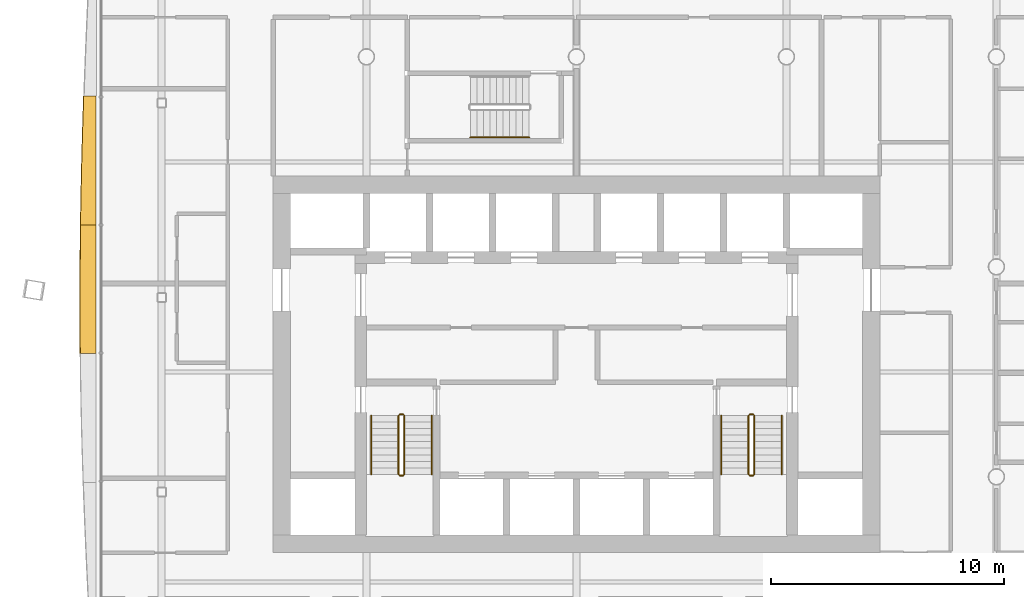
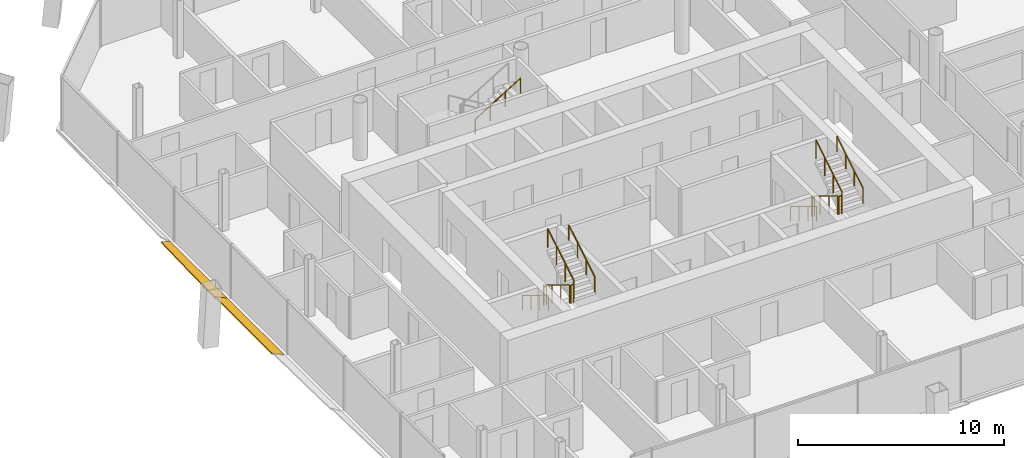
# One storey, part 19 of 22: 13 railings, 2 shading devices.
"""IFC4 building model written with IfcOpenShell, lengths in metres."""

from ifc_helpers import new_model, si_unit, direction, frame, origin, origin_2d, place, context, subcontext, project, spatial, polyline, circle, outline, extrude, material, layer, layer_set, type_object, element, save


model = new_model("IFC4")

# Units and contexts
model_context = context("Model", 3, precision=1e-05, world=origin(), true_north=direction((0.0, 1.0)))
body_context = subcontext(model_context, "Body", "Model", "MODEL_VIEW")
ifc_project = project(units=[si_unit("LENGTHUNIT", "METRE"), si_unit("AREAUNIT", "SQUARE_METRE"), si_unit("VOLUMEUNIT", "CUBIC_METRE"), si_unit("PLANEANGLEUNIT", "RADIAN"), si_unit("MASSUNIT", "GRAM", prefix="KILO")], contexts=[model_context])

# Site, building, storey
site_placement = place(None, origin())
site = spatial("IfcSite", under=ifc_project, at=site_placement, CompositionType="ELEMENT")
building_placement = place(site_placement, origin())
building = spatial("IfcBuilding", under=site, at=building_placement, Name="Tskaro Facet Tower", CompositionType="ELEMENT")
storey_placement = place(building_placement, frame((0.0, 0.0, 124.89990234375)))
storey = spatial("IfcBuildingStorey", under=building, at=storey_placement, Name="L29", CompositionType="ELEMENT", Elevation=124.89990234375)

# Shading devices
ifc_material_1 = material(Name="Bronze anodised aluminium 6063-T6", Category="aluminium")
ifc_layer = layer(ifc_material_1, 0.06005859375, Name="Bronze anodised aluminium 6063-T6")
ifc_layer_set = layer_set([ifc_layer], Name="Bronze anodised aluminium 6063-T6")
shading_device_type = type_object("IfcShadingDeviceType", Name="Bronze sun blade (FN1)", PredefinedType="USERDEFINED", material=ifc_layer_set)
shading_device_1_placement = place(storey_placement, frame((-20.596435546875, 7.32080078125, 0.056396484375), z_axis=(0.342110619756, 1.925757e-06, 0.939659685123), x_axis=(6.58822e-07, -0.999999999998, 1.809557e-06)))
element("IfcShadingDevice", 1, at=shading_device_1_placement, inside=storey, type_object=shading_device_type, Name="Fin blade west 3", ObjectType="FIN", PredefinedType="USERDEFINED", context=body_context, shape_type="SweptSolid", body=[
    extrude(outline(polyline([(0.0, 0.0), (5.518310546864767, 5.842738557980026e-22), (5.518310546940058, -0.6999642845968628), (4.828369140860794, -0.6883045053618181), (4.138671875207084, -0.6747882931054972), (3.4489746095147793, -0.6591862387250864), (2.7592773436230313, -0.6417277513233994), (2.069335937348628, -0.6224963540009631), (1.3796386716606277, -0.6011791145544368), (0.6899414060541258, -0.5783183742899748), (6.496843340937903e-11, -0.5536847241047632), (0.0, 0.0)])), origin(), (0.0, 0.0, -1.0), 0.06005859375),
])
shading_device_2_placement = place(storey_placement, frame((-20.591552734375, 1.802490234375, 0.054443359375), z_axis=(0.422596529367, 3.90998e-07, 0.906317920692), x_axis=(1.65234e-07, -1.0, 3.54368e-07)))
element("IfcShadingDevice", 2, at=shading_device_2_placement, inside=storey, type_object=shading_device_type, Name="Fin blade west 4", ObjectType="FIN", PredefinedType="USERDEFINED", context=body_context, shape_type="SweptSolid", body=[
    extrude(outline(polyline([(0.0, 0.0), (5.518066406249578, 0.0), (5.518066406238254, -0.7418489983623608), (4.82836914059681, -0.7482943577177413), (4.138427734387707, -0.752114334913848), (3.454345703149429, -0.7532057569698786), (3.4487304687744293, -0.7532057569698786), (2.7590332031378115, -0.752114334913848), (2.069335937477855, -0.7488400687457566), (1.379394531296415, -0.7432648624228002), (0.6896972655897795, -0.7356249080305869), (-1.3339520628007318e-11, -0.7256840134835085), (0.0, 0.0)])), origin(), (0.0, 0.0, -1.0), 0.06005859375),
])

# Railings
ifc_material_2 = material(Name="Stainless steel", Category="steel")
railing_type_1 = type_object("IfcRailingType", Name="RL-GUARD-1100", PredefinedType="GUARDRAIL", material=ifc_material_2)
railing_1_placement = place(storey_placement, frame((-7.625, -6.375, 0.170166015625)))
element("IfcRailing", 3, at=railing_1_placement, inside=storey, type_object=railing_type_1, Name="L29 ST-1 stair guard 1", PredefinedType="GUARDRAIL", context=body_context, shape_type="SweptSolid", body=[
    extrude(circle(Radius=0.02392578125, at=origin_2d()), frame((0.0, 0.0, 1.076171875), z_axis=(0.0, -0.85478489116, 0.518982456201), x_axis=(1.0, 0.0, 0.0)), (0.0, 0.0, 1.0), 2.9482421875),
    extrude(circle(Radius=0.02099609375, at=origin_2d()), origin(), (0.0, 0.0, 1.0), 1.052001953125),
    extrude(circle(Radius=0.02099609375, at=origin_2d()), frame((0.0, -0.840087890625, 0.510009765625)), (0.0, 0.0, 1.0), 1.052001953125),
    extrude(circle(Radius=0.02099609375, at=origin_2d()), frame((0.0, -1.679931640625, 1.02001953125)), (0.0, 0.0, 1.0), 1.052001953125),
    extrude(circle(Radius=0.02099609375, at=origin_2d()), frame((0.0, -2.52001953125, 1.530029296875)), (0.0, 0.0, 1.0), 1.052001953125),
])
railing_2_placement = place(storey_placement, frame((-7.574951171875, -8.945068359375, 1.7001953125)))
element("IfcRailing", 4, at=railing_2_placement, inside=storey, type_object=railing_type_1, Name="L29 ST-1 stair guard 2", PredefinedType="GUARDRAIL", context=body_context, shape_type="SweptSolid", body=[
    extrude(circle(Radius=0.02392578125, at=origin_2d()), frame((0.0, 0.0, 1.076171875), z_axis=(1.0, 0.0, 0.0), x_axis=(0.0, 1.0, 0.0)), (0.0, 0.0, 1.0), 0.14990234375),
    extrude(circle(Radius=0.02099609375, at=origin_2d()), origin(), (0.0, 0.0, 1.0), 1.052001953125),
    extrude(circle(Radius=0.02099609375, at=origin_2d()), frame((0.14990234375, 0.0, 0.0)), (0.0, 0.0, 1.0), 1.052001953125),
])
railing_3_placement = place(storey_placement, frame((-7.375, -8.89501953125, 1.8701171875)))
element("IfcRailing", 5, at=railing_3_placement, inside=storey, type_object=railing_type_1, Name="L29 ST-1 stair guard 3", PredefinedType="GUARDRAIL", context=body_context, shape_type="SweptSolid", body=[
    extrude(circle(Radius=0.02392578125, at=origin_2d()), frame((0.0, 0.0, 1.076171875), z_axis=(0.0, 0.85478489116, 0.518982456201), x_axis=(-1.0, 0.0, 0.0)), (0.0, 0.0, 1.0), 2.9482421875),
    extrude(circle(Radius=0.02099609375, at=origin_2d()), origin(), (0.0, 0.0, 1.0), 1.052001953125),
    extrude(circle(Radius=0.02099609375, at=origin_2d()), frame((0.0, 0.840087890625, 0.510009765625)), (0.0, 0.0, 1.0), 1.052001953125),
    extrude(circle(Radius=0.02099609375, at=origin_2d()), frame((0.0, 1.679931640625, 1.02001953125)), (0.0, 0.0, 1.0), 1.052001953125),
    extrude(circle(Radius=0.02099609375, at=origin_2d()), frame((0.0, 2.52001953125, 1.530029296875)), (0.0, 0.0, 1.0), 1.052001953125),
])
railing_4_placement = place(storey_placement, frame((-7.574951171875, -6.324951171875, 0.0)))
element("IfcRailing", 6, at=railing_4_placement, inside=storey, type_object=railing_type_1, Name="L29 ST-1 stair guard 4", PredefinedType="GUARDRAIL", context=body_context, shape_type="SweptSolid", body=[
    extrude(circle(Radius=0.02392578125, at=origin_2d()), frame((0.0, 0.0, 1.076171875), z_axis=(1.0, 0.0, 0.0), x_axis=(0.0, 1.0, 0.0)), (0.0, 0.0, 1.0), 0.14990234375),
    extrude(circle(Radius=0.02099609375, at=origin_2d()), origin(), (0.0, 0.0, 1.0), 1.052001953125),
    extrude(circle(Radius=0.02099609375, at=origin_2d()), frame((0.14990234375, 0.0, 0.0)), (0.0, 0.0, 1.0), 1.052001953125),
])
railing_5_placement = place(storey_placement, frame((7.375, -6.375, 0.170166015625)))
element("IfcRailing", 7, at=railing_5_placement, inside=storey, type_object=railing_type_1, Name="L29 ST-2 stair guard 1", PredefinedType="GUARDRAIL", context=body_context, shape_type="SweptSolid", body=[
    extrude(circle(Radius=0.02392578125, at=origin_2d()), frame((0.0, 0.0, 1.076171875), z_axis=(0.0, -0.85478489116, 0.518982456201), x_axis=(1.0, 0.0, 0.0)), (0.0, 0.0, 1.0), 2.9482421875),
    extrude(circle(Radius=0.02099609375, at=origin_2d()), origin(), (0.0, 0.0, 1.0), 1.052001953125),
    extrude(circle(Radius=0.02099609375, at=origin_2d()), frame((0.0, -0.840087890625, 0.510009765625)), (0.0, 0.0, 1.0), 1.052001953125),
    extrude(circle(Radius=0.02099609375, at=origin_2d()), frame((0.0, -1.679931640625, 1.02001953125)), (0.0, 0.0, 1.0), 1.052001953125),
    extrude(circle(Radius=0.02099609375, at=origin_2d()), frame((0.0, -2.52001953125, 1.530029296875)), (0.0, 0.0, 1.0), 1.052001953125),
])
railing_6_placement = place(storey_placement, frame((7.425048828125, -8.945068359375, 1.7001953125)))
element("IfcRailing", 8, at=railing_6_placement, inside=storey, type_object=railing_type_1, Name="L29 ST-2 stair guard 2", PredefinedType="GUARDRAIL", context=body_context, shape_type="SweptSolid", body=[
    extrude(circle(Radius=0.02392578125, at=origin_2d()), frame((0.0, 0.0, 1.076171875), z_axis=(1.0, 0.0, 0.0), x_axis=(0.0, 1.0, 0.0)), (0.0, 0.0, 1.0), 0.14990234375),
    extrude(circle(Radius=0.02099609375, at=origin_2d()), origin(), (0.0, 0.0, 1.0), 1.052001953125),
    extrude(circle(Radius=0.02099609375, at=origin_2d()), frame((0.14990234375, 0.0, 0.0)), (0.0, 0.0, 1.0), 1.052001953125),
])
railing_7_placement = place(storey_placement, frame((7.625, -8.89501953125, 1.8701171875)))
element("IfcRailing", 9, at=railing_7_placement, inside=storey, type_object=railing_type_1, Name="L29 ST-2 stair guard 3", PredefinedType="GUARDRAIL", context=body_context, shape_type="SweptSolid", body=[
    extrude(circle(Radius=0.02392578125, at=origin_2d()), frame((0.0, 0.0, 1.076171875), z_axis=(0.0, 0.85478489116, 0.518982456201), x_axis=(-1.0, 0.0, 0.0)), (0.0, 0.0, 1.0), 2.9482421875),
    extrude(circle(Radius=0.02099609375, at=origin_2d()), origin(), (0.0, 0.0, 1.0), 1.052001953125),
    extrude(circle(Radius=0.02099609375, at=origin_2d()), frame((0.0, 0.840087890625, 0.510009765625)), (0.0, 0.0, 1.0), 1.052001953125),
    extrude(circle(Radius=0.02099609375, at=origin_2d()), frame((0.0, 1.679931640625, 1.02001953125)), (0.0, 0.0, 1.0), 1.052001953125),
    extrude(circle(Radius=0.02099609375, at=origin_2d()), frame((0.0, 2.52001953125, 1.530029296875)), (0.0, 0.0, 1.0), 1.052001953125),
])
railing_8_placement = place(storey_placement, frame((7.425048828125, -6.324951171875, 0.0)))
element("IfcRailing", 10, at=railing_8_placement, inside=storey, type_object=railing_type_1, Name="L29 ST-2 stair guard 4", PredefinedType="GUARDRAIL", context=body_context, shape_type="SweptSolid", body=[
    extrude(circle(Radius=0.02392578125, at=origin_2d()), frame((0.0, 0.0, 1.076171875), z_axis=(1.0, 0.0, 0.0), x_axis=(0.0, 1.0, 0.0)), (0.0, 0.0, 1.0), 0.14990234375),
    extrude(circle(Radius=0.02099609375, at=origin_2d()), origin(), (0.0, 0.0, 1.0), 1.052001953125),
    extrude(circle(Radius=0.02099609375, at=origin_2d()), frame((0.14990234375, 0.0, 0.0)), (0.0, 0.0, 1.0), 1.052001953125),
])
railing_type_2 = type_object("IfcRailingType", Name="RL-HANDRAIL-900", PredefinedType="HANDRAIL", material=ifc_material_2)
railing_9_placement = place(storey_placement, frame((-8.800048828125, -6.375, 0.170166015625)))
element("IfcRailing", 11, at=railing_9_placement, inside=storey, type_object=railing_type_2, Name="L29 ST-1 stair handrail 1", PredefinedType="HANDRAIL", context=body_context, shape_type="SweptSolid", body=[
    extrude(circle(Radius=0.02392578125, at=origin_2d()), frame((0.0, 0.0, 0.8759765625), z_axis=(0.0, -0.85478489116, 0.518982456201), x_axis=(1.0, 0.0, 0.0)), (0.0, 0.0, 1.0), 2.9482421875),
    extrude(circle(Radius=0.02099609375, at=origin_2d()), origin(), (0.0, 0.0, 1.0), 0.851806640625),
    extrude(circle(Radius=0.02099609375, at=origin_2d()), frame((0.0, -0.840087890625, 0.510009765625)), (0.0, 0.0, 1.0), 0.851806640625),
    extrude(circle(Radius=0.02099609375, at=origin_2d()), frame((0.0, -1.679931640625, 1.02001953125)), (0.0, 0.0, 1.0), 0.851806640625),
    extrude(circle(Radius=0.02099609375, at=origin_2d()), frame((0.0, -2.52001953125, 1.530029296875)), (0.0, 0.0, 1.0), 0.851806640625),
])
railing_10_placement = place(storey_placement, frame((-6.199951171875, -8.89501953125, 1.8701171875)))
element("IfcRailing", 12, at=railing_10_placement, inside=storey, type_object=railing_type_2, Name="L29 ST-1 stair handrail 2", PredefinedType="HANDRAIL", context=body_context, shape_type="SweptSolid", body=[
    extrude(circle(Radius=0.02392578125, at=origin_2d()), frame((0.0, 0.0, 0.8759765625), z_axis=(0.0, 0.85478489116, 0.518982456201), x_axis=(-1.0, 0.0, 0.0)), (0.0, 0.0, 1.0), 2.9482421875),
    extrude(circle(Radius=0.02099609375, at=origin_2d()), origin(), (0.0, 0.0, 1.0), 0.851806640625),
    extrude(circle(Radius=0.02099609375, at=origin_2d()), frame((0.0, 0.840087890625, 0.510009765625)), (0.0, 0.0, 1.0), 0.851806640625),
    extrude(circle(Radius=0.02099609375, at=origin_2d()), frame((0.0, 1.679931640625, 1.02001953125)), (0.0, 0.0, 1.0), 0.851806640625),
    extrude(circle(Radius=0.02099609375, at=origin_2d()), frame((0.0, 2.52001953125, 1.530029296875)), (0.0, 0.0, 1.0), 0.851806640625),
])
railing_11_placement = place(storey_placement, frame((6.199951171875, -6.375, 0.170166015625)))
element("IfcRailing", 13, at=railing_11_placement, inside=storey, type_object=railing_type_2, Name="L29 ST-2 stair handrail 1", PredefinedType="HANDRAIL", context=body_context, shape_type="SweptSolid", body=[
    extrude(circle(Radius=0.02392578125, at=origin_2d()), frame((0.0, 0.0, 0.8759765625), z_axis=(0.0, -0.85478489116, 0.518982456201), x_axis=(1.0, 0.0, 0.0)), (0.0, 0.0, 1.0), 2.9482421875),
    extrude(circle(Radius=0.02099609375, at=origin_2d()), origin(), (0.0, 0.0, 1.0), 0.851806640625),
    extrude(circle(Radius=0.02099609375, at=origin_2d()), frame((0.0, -0.840087890625, 0.510009765625)), (0.0, 0.0, 1.0), 0.851806640625),
    extrude(circle(Radius=0.02099609375, at=origin_2d()), frame((0.0, -1.679931640625, 1.02001953125)), (0.0, 0.0, 1.0), 0.851806640625),
    extrude(circle(Radius=0.02099609375, at=origin_2d()), frame((0.0, -2.52001953125, 1.530029296875)), (0.0, 0.0, 1.0), 0.851806640625),
])
railing_12_placement = place(storey_placement, frame((8.800048828125, -8.89501953125, 1.8701171875)))
element("IfcRailing", 14, at=railing_12_placement, inside=storey, type_object=railing_type_2, Name="L29 ST-2 stair handrail 2", PredefinedType="HANDRAIL", context=body_context, shape_type="SweptSolid", body=[
    extrude(circle(Radius=0.02392578125, at=origin_2d()), frame((0.0, 0.0, 0.8759765625), z_axis=(0.0, 0.85478489116, 0.518982456201), x_axis=(-1.0, 0.0, 0.0)), (0.0, 0.0, 1.0), 2.9482421875),
    extrude(circle(Radius=0.02099609375, at=origin_2d()), origin(), (0.0, 0.0, 1.0), 0.851806640625),
    extrude(circle(Radius=0.02099609375, at=origin_2d()), frame((0.0, 0.840087890625, 0.510009765625)), (0.0, 0.0, 1.0), 0.851806640625),
    extrude(circle(Radius=0.02099609375, at=origin_2d()), frame((0.0, 1.679931640625, 1.02001953125)), (0.0, 0.0, 1.0), 0.851806640625),
    extrude(circle(Radius=0.02099609375, at=origin_2d()), frame((0.0, 2.52001953125, 1.530029296875)), (0.0, 0.0, 1.0), 0.851806640625),
])
railing_13_placement = place(storey_placement, frame((-4.544921875, 5.550048828125, 1.8701171875)))
element("IfcRailing", 15, at=railing_13_placement, inside=storey, type_object=railing_type_2, Name="L29 ST-3 stair handrail 2", PredefinedType="HANDRAIL", context=body_context, shape_type="SweptSolid", body=[
    extrude(circle(Radius=0.02392578125, at=origin_2d()), frame((0.0, 0.0, 0.8759765625), z_axis=(0.85478489116, 0.0, 0.518982456201), x_axis=(0.0, 1.0, 0.0)), (0.0, 0.0, 1.0), 2.9482421875),
    extrude(circle(Radius=0.02099609375, at=origin_2d()), origin(), (0.0, 0.0, 1.0), 0.851806640625),
    extrude(circle(Radius=0.02099609375, at=origin_2d()), frame((0.840087890625, 0.0, 0.510009765625)), (0.0, 0.0, 1.0), 0.851806640625),
    extrude(circle(Radius=0.02099609375, at=origin_2d()), frame((1.679931640625, 0.0, 1.02001953125)), (0.0, 0.0, 1.0), 0.851806640625),
    extrude(circle(Radius=0.02099609375, at=origin_2d()), frame((2.52001953125, 0.0, 1.530029296875)), (0.0, 0.0, 1.0), 0.851806640625),
])

save(model, "model.ifc")
